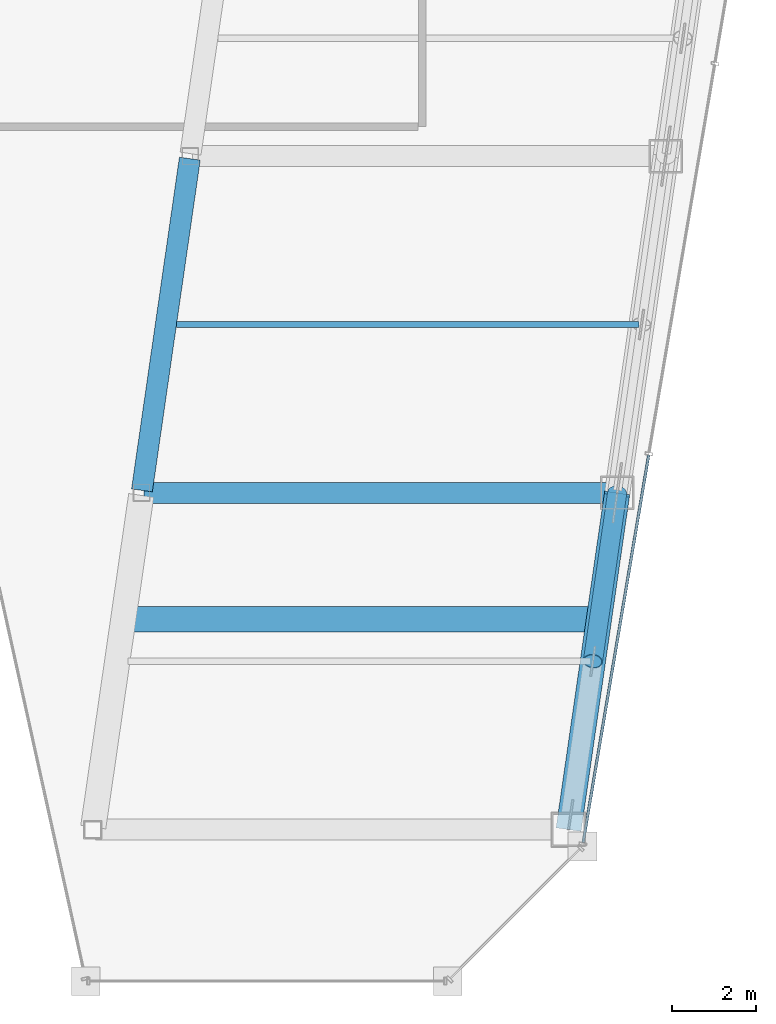
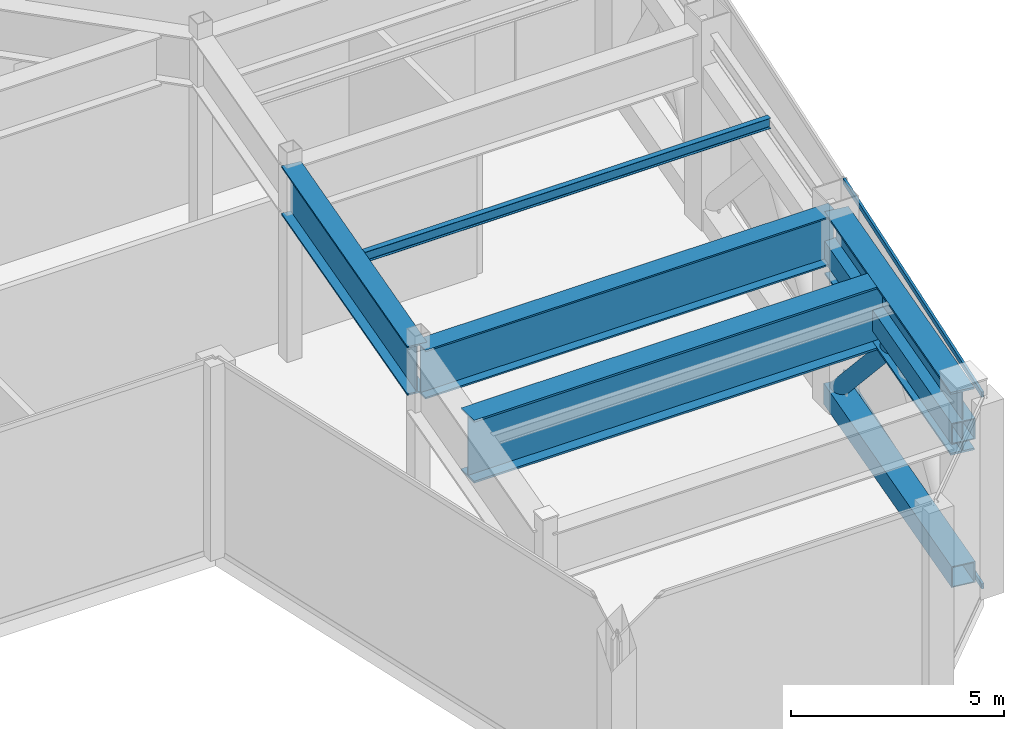
# One storey, part 17 of 34: 5 beams, 5 members, 1 element without a shape of its own.
"""IFC4 building model written with IfcOpenShell, lengths in metres."""

from ifc_helpers import new_model, si_unit, direction, frame, origin, origin_2d, place, context, subcontext, project, spatial, hollow_rectangle, hollow_circle, i_section, extrude, material, material_profile, profile_set, type_object, element, aggregate, save


model = new_model("IFC4")

# Units and contexts
model_context = context("Model", 3, precision=1e-05, world=origin(), true_north=direction((0.0, 1.0)))
body_context = subcontext(model_context, "Body", "Model", "MODEL_VIEW")
ifc_project = project(units=[si_unit("LENGTHUNIT", "METRE"), si_unit("AREAUNIT", "SQUARE_METRE"), si_unit("VOLUMEUNIT", "CUBIC_METRE"), si_unit("PLANEANGLEUNIT", "RADIAN"), si_unit("MASSUNIT", "GRAM", prefix="KILO")], contexts=[model_context])

# Site, building, storey
site_placement = place(None, origin())
site = spatial("IfcSite", under=ifc_project, at=site_placement, CompositionType="ELEMENT")
building_placement = place(site_placement, origin())
building = spatial("IfcBuilding", under=site, at=building_placement, Name="Saevonmaru Cultural Tower", CompositionType="ELEMENT")
storey_placement = place(building_placement, frame((0.0, 0.0, 224.60009765625)))
storey = spatial("IfcBuildingStorey", under=building, at=storey_placement, Name="L52", CompositionType="ELEMENT", Elevation=224.60009765625)

# Beams
ifc_material_1 = material(Name="Steel SM355", Category="steel")
ifc_material_profile_1 = material_profile(ifc_material_1, i_section(OverallWidth=0.14990234375, OverallDepth=0.300048828125, WebThickness=0.006591796875, FlangeThickness=0.009033203125, FilletRadius=0.012939453125, at=origin_2d()), Name="H-300x150x6.5x9")
ifc_profile_set_1 = profile_set([ifc_material_profile_1], Name="Steel SM355")
beam_type_1 = type_object("IfcBeamType", Name="BM-J-H300", PredefinedType="JOIST", material=ifc_profile_set_1)
beam_1_placement = place(storey_placement, frame((40.0634765625, 28.0, 5.39990234375), z_axis=(1.0, 0.0, 0.0), x_axis=(0.0, 1.0, 0.0)))
element("IfcBeam", 1, at=beam_1_placement, inside=storey, type_object=beam_type_1, Name="L52 East Wing Floor Joist 2", PredefinedType="JOIST", context=body_context, shape_type="SweptSolid", body=[
    extrude(i_section(OverallWidth=0.14990234375, OverallDepth=0.300048828125, WebThickness=0.006591796875, FlangeThickness=0.009033203125, FilletRadius=0.012939453125, at=origin_2d()), origin(), (0.0, 0.0, 1.0), 10.98193359375),
])
ifc_material_2 = material(Name="Steel HSA600 (600 MPa)", Category="steel")
ifc_material_profile_2 = material_profile(ifc_material_2, i_section(OverallWidth=0.5, OverallDepth=1.39990234375, WebThickness=0.02392578125, FlangeThickness=0.044921875, at=origin_2d()), Name="PG-1400x500x24x45")
ifc_profile_set_2 = profile_set([ifc_material_profile_2], Name="Steel HSA600 (600 MPa)")
beam_type_2 = type_object("IfcBeamType", Name="BM-TG-PG1400", PredefinedType="BEAM", material=ifc_profile_set_2)
beam_2_placement = place(storey_placement, frame((39.236572265625, 24.059326171875, 4.849853515625), z_axis=(0.142902032203, 0.989736838353, 0.0), x_axis=(-0.989736838353, 0.142902032203, 0.0)))
element("IfcBeam", 2, at=beam_2_placement, inside=storey, type_object=beam_type_2, Name="L52 East Atrium Girder 2", PredefinedType="BEAM", context=body_context, shape_type="SweptSolid", body=[
    extrude(i_section(OverallWidth=0.5, OverallDepth=1.39990234375, WebThickness=0.02392578125, FlangeThickness=0.044921875, at=origin_2d()), origin(), (0.0, 0.0, 1.0), 7.963134765625),
])
beam_3_placement = place(storey_placement, frame((39.2880859375, 24.0, 4.849853515625), z_axis=(1.0, 0.0, 0.0), x_axis=(0.0, 1.0, 0.0)))
element("IfcBeam", 3, at=beam_3_placement, inside=storey, type_object=beam_type_2, Name="L52 East Wing Transverse Girder 2", PredefinedType="BEAM", context=body_context, shape_type="SweptSolid", body=[
    extrude(i_section(OverallWidth=0.5, OverallDepth=1.39990234375, WebThickness=0.02392578125, FlangeThickness=0.044921875, at=origin_2d()), origin(), (0.0, 0.0, 1.0), 11.179931640625),
])
ifc_material_profile_3 = material_profile(ifc_material_2, i_section(OverallWidth=0.60009765625, OverallDepth=1.800048828125, WebThickness=0.028076171875, FlangeThickness=0.054931640625, at=origin_2d()), Name="PG-1800x600x28x55")
ifc_profile_set_3 = profile_set([ifc_material_profile_3], Name="Steel HSA600 (600 MPa)")
beam_type_3 = type_object("IfcBeamType", Name="BM-TG-PG1800", PredefinedType="BEAM", material=ifc_profile_set_3)
beam_4_placement = place(storey_placement, frame((38.83447265625, 21.0, 4.64990234375), z_axis=(1.0, 0.0, 0.0), x_axis=(0.0, 1.0, 0.0)))
element("IfcBeam", 4, at=beam_4_placement, inside=storey, type_object=beam_type_3, Name="L52 Setback Transfer Plate Girder East", PredefinedType="BEAM", context=body_context, shape_type="SweptSolid", body=[
    extrude(i_section(OverallWidth=0.60009765625, OverallDepth=1.800048828125, WebThickness=0.028076171875, FlangeThickness=0.054931640625, at=origin_2d()), origin(), (0.0, 0.0, 1.0), 11.219970703125),
])
ifc_material_profile_4 = material_profile(ifc_material_2, i_section(OverallWidth=0.60009765625, OverallDepth=1.800048828125, WebThickness=0.028076171875, FlangeThickness=0.054931640625, at=origin_2d()), Name="PG-1800x600x28x55")
ifc_profile_set_4 = profile_set([ifc_material_profile_4], Name="Steel HSA600 (600 MPa)")
beam_type_4 = type_object("IfcBeamType", Name="BM-TG-PG1800-EXT", PredefinedType="SPANDREL", material=ifc_profile_set_4)
beam_5_placement = place(storey_placement, frame((49.380615234375, 16.059326171875, 4.64990234375), z_axis=(0.142992129437, 0.989723825579, 0.0), x_axis=(-0.989723825579, 0.142992129437, 0.0)))
element("IfcBeam", 5, at=beam_5_placement, inside=storey, type_object=beam_type_4, Name="L52 East Splayed Spandrel 1", PredefinedType="SPANDREL", context=body_context, shape_type="SweptSolid", body=[
    extrude(i_section(OverallWidth=0.60009765625, OverallDepth=1.800048828125, WebThickness=0.028076171875, FlangeThickness=0.054931640625, at=origin_2d()), origin(), (0.0, 0.0, 1.0), 7.963134765625),
])

# Members
ifc_material_3 = material(Name="Steel SM420", Category="steel")
ifc_material_profile_5 = material_profile(ifc_material_3, hollow_circle(Radius=0.228515625, WallThickness=0.02001953125, at=origin_2d()), Name="CHS-457.2x20")
ifc_profile_set_5 = profile_set([ifc_material_profile_5], Name="Steel SM420")
member_type_1 = type_object("IfcMemberType", Name="MB-BBR-CHS457", PredefinedType="BRACE", material=ifc_profile_set_5)
member_1_placement = place(storey_placement, frame((50.528076171875, 24.0, 0.2998046875), z_axis=(-0.100418226369, -0.694785566232, 0.712172167926), x_axis=(0.989716197255, -0.143044919135, 0.0)))
element("IfcMember", 6, at=member_1_placement, inside=storey, type_object=member_type_1, Name="L52 Belt Truss Diagonal BE1-2", PredefinedType="BRACE", context=body_context, shape_type="SweptSolid", body=[
    extrude(hollow_circle(Radius=0.228515625, WallThickness=0.02001953125, at=origin_2d()), origin(), (0.0, 0.0, 1.0), 5.757080078125),
])
ifc_material_profile_6 = material_profile(ifc_material_3, hollow_rectangle(XDim=0.60009765625, YDim=0.60009765625, WallThickness=0.028076171875, at=origin_2d()), Name="BOX-600x600x28")
ifc_profile_set_6 = profile_set([ifc_material_profile_6], Name="Steel SM420")
member_type_2 = type_object("IfcMemberType", Name="MB-BCH-BOX600", PredefinedType="CHORD", material=ifc_profile_set_6)
for number, where, z_axis, x_axis, name in (
    (7, (49.3720703125, 16.0, 0.2998046875), (0.143015333226, 0.989720472892, 0.0), (-0.989720472892, 0.143015333226, 0.0), "L52 Belt Truss Bottom Chord BE1"),
    (8, (49.3720703125, 16.0, 4.39990234375), (0.143015333226, 0.989720472892, 0.0), (-0.989720472892, 0.143015333226, 0.0), "L52 Belt Truss Top Chord BE1"),
):
    element("IfcMember", number, at=place(storey_placement, frame(where, z_axis=z_axis, x_axis=x_axis)), inside=storey, type_object=member_type_2, Name=name, PredefinedType="CHORD", context=body_context, shape_type="SweptSolid", body=[
        extrude(hollow_rectangle(XDim=0.60009765625, YDim=0.60009765625, WallThickness=0.028076171875, at=origin_2d()), origin(), (0.0, 0.0, 1.0), 8.0830078125),
    ])

# Curtain wall, members
ifc_material_4 = material(Name="Satin Bronze Anodised Aluminium", Category="aluminium")
curtain_wall_type = type_object("IfcCurtainWallType", Name="CW-TYP-B", PredefinedType="NOTDEFINED", material=ifc_material_4)
curtain_wall_placement = place(storey_placement, origin())
curtain_wall = element("IfcCurtainWall", 9, at=curtain_wall_placement, inside=storey, type_object=curtain_wall_type, Name="L52 Wind-Floor Acoustic Louvre Screen E8", PredefinedType="NOTDEFINED")
ifc_material_profile_7 = material_profile(ifc_material_4, hollow_rectangle(XDim=0.06494140625, YDim=0.14990234375, WallThickness=0.00390625, at=origin_2d()), Name="ALU-TRAN-150x65x4")
ifc_profile_set_7 = profile_set([ifc_material_profile_7], Name="Satin Bronze Anodised Aluminium")
member_type_3 = type_object("IfcMemberType", Name="TR-CW-150x65", PredefinedType="USERDEFINED", material=ifc_profile_set_7)
member_2_placement = place(storey_placement, frame((49.717529296875, 15.691162109375, 0.032470703125), z_axis=(0.166921263871, 0.985970228591, 0.0), x_axis=(-0.985970228591, 0.166921263871, 0.0)))
member_2 = element("IfcMember", 10, at=member_2_placement, type_object=member_type_3, Name="CW-TW-L52-E8 transom 1.1", ObjectType="TRANSOM", PredefinedType="USERDEFINED", context=body_context, shape_type="SweptSolid", body=[
    extrude(hollow_rectangle(XDim=0.06494140625, YDim=0.14990234375, WallThickness=0.00390625, at=origin_2d()), origin(), (0.0, 0.0, 1.0), 9.33740234375),
])
member_3_placement = place(storey_placement, frame((49.717529296875, 15.691162109375, 5.517333984375), z_axis=(0.166921263871, 0.985970228591, 0.0), x_axis=(-0.985970228591, 0.166921263871, 0.0)))
member_3 = element("IfcMember", 11, at=member_3_placement, type_object=member_type_3, Name="CW-TW-L52-E8 transom 1.2", ObjectType="TRANSOM", PredefinedType="USERDEFINED", context=body_context, shape_type="SweptSolid", body=[
    extrude(hollow_rectangle(XDim=0.06494140625, YDim=0.14990234375, WallThickness=0.00390625, at=origin_2d()), origin(), (0.0, 0.0, 1.0), 9.33740234375),
])
aggregate(curtain_wall, [member_2, member_3])

save(model, "model.ifc")
